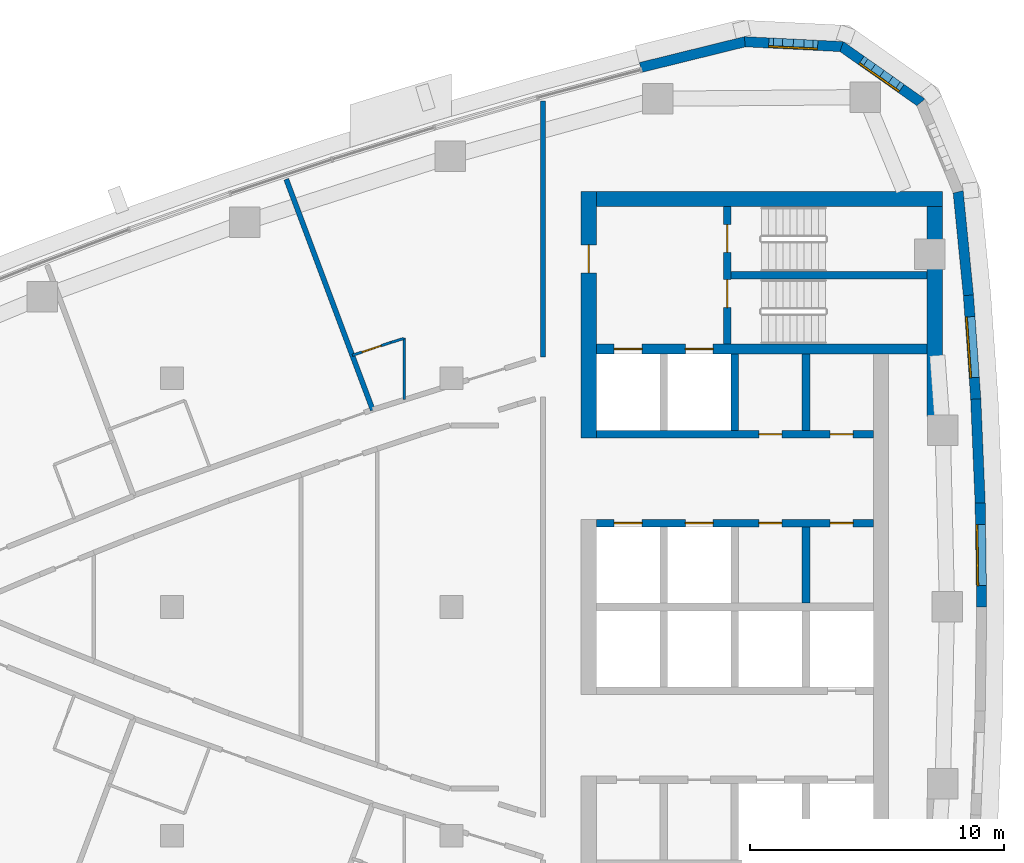
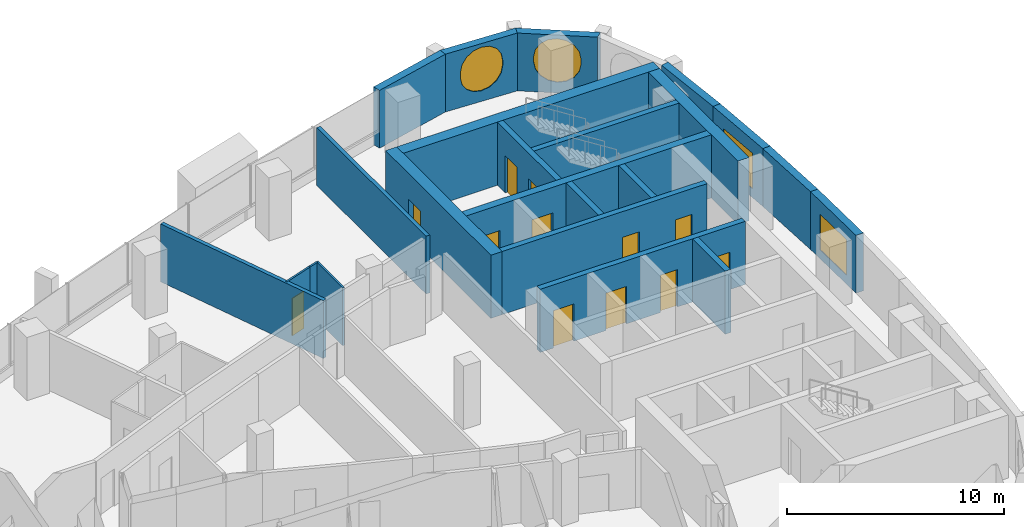
# One storey, part 11 of 16: 23 walls, 12 doors, 4 windows, 16 openings.
"""IFC4 building model written with IfcOpenShell, lengths in metres."""

import ifcopenshell
import ifcopenshell.guid

model = None  # the IFC model being written
_history = None  # IfcOwnerHistory: only IFC2X3 demands one
_inside = {}  # id of a spatial element -> (the spatial element, [elements in it])
_under = {}  # id of a project, library or spatial element -> (it, [spatial elements below it])
_declared = {}  # id of a project -> (the project, [libraries it declares])
_typed = {}  # id of a type object -> (the type object, [elements of that type])
_made_of = {}  # id of a material, layer set ... -> (it, [elements and type objects made of it])


def new_model(schema):
    """Start an empty IFC model of exactly this schema.

    Asked for "IFC4X3", IfcOpenShell would pick the latest addendum, in which some entities
    have other attributes; the version numbers below select the first issue.
    IFC2X3 requires an IfcOwnerHistory on every rooted entity: one is made here for all.
    """
    global model, _history
    if schema == "IFC4X3":
        model = ifcopenshell.file(schema_version=(4, 3, 0, 0))
    else:
        model = ifcopenshell.file(schema=schema)
    _inside.clear()
    _under.clear()
    _declared.clear()
    _typed.clear()
    _made_of.clear()
    _history = None
    if model.schema == "IFC2X3":
        org = make("IfcOrganization", Name="unknown")
        user = make(
            "IfcPersonAndOrganization",
            ThePerson=make("IfcPerson", FamilyName="unknown"),
            TheOrganization=org,
        )
        app = make(
            "IfcApplication",
            ApplicationDeveloper=org,
            Version="unknown",
            ApplicationFullName="unknown",
            ApplicationIdentifier="unknown",
        )
        _history = make(
            "IfcOwnerHistory",
            OwningUser=user,
            OwningApplication=app,
            ChangeAction="ADDED",
            CreationDate=0,
        )
    return model


def make(cls, **values):
    """One entity of the class cls with the attributes given. An attribute that is None is left unset."""
    return model.create_entity(
        cls, **{name: value for name, value in values.items() if value is not None}
    )


def rooted(cls, **values):
    """An entity with a GlobalId (a new one), such as an element, a storey or a relation."""
    return make(cls, GlobalId=ifcopenshell.guid.new(), OwnerHistory=_history, **values)


def si_unit(unit_type, name, prefix=None):
    """IfcSIUnit, for example si_unit("LENGTHUNIT", "METRE", prefix="MILLI")."""
    return make("IfcSIUnit", UnitType=unit_type, Prefix=prefix, Name=name)


def assignment(units):
    """IfcUnitAssignment: the units of a project."""
    return None if units is None else make("IfcUnitAssignment", Units=units)


def point(xyz):
    """IfcCartesianPoint."""
    return None if xyz is None else make("IfcCartesianPoint", Coordinates=xyz)


def direction(xyz):
    """IfcDirection."""
    return None if xyz is None else make("IfcDirection", DirectionRatios=xyz)


def frame(location, z_axis=None, x_axis=None):
    """IfcAxis2Placement3D, a coordinate frame: its origin and axes. An axis left out is left unset."""
    return make(
        "IfcAxis2Placement3D",
        Location=point(location),
        Axis=direction(z_axis),
        RefDirection=direction(x_axis),
    )


def frame_2d(location, x_axis=None):
    """IfcAxis2Placement2D, a coordinate frame in the plane: its origin and x axis."""
    return make(
        "IfcAxis2Placement2D", Location=point(location), RefDirection=direction(x_axis)
    )


def origin():
    """The frame at (0, 0, 0) with its axes left unset."""
    return frame((0.0, 0.0, 0.0))


def place(relative_to, where):
    """IfcLocalPlacement: puts the frame where relative to a parent placement (None: the world)."""
    return make(
        "IfcLocalPlacement", PlacementRelTo=relative_to, RelativePlacement=where
    )


def context(
    kind, dimensions, precision=None, world=None, true_north=None, identifier=None
):
    """IfcGeometricRepresentationContext, for example the 3D "Model" context."""
    return make(
        "IfcGeometricRepresentationContext",
        ContextIdentifier=identifier,
        ContextType=kind,
        CoordinateSpaceDimension=dimensions,
        Precision=precision,
        WorldCoordinateSystem=world,
        TrueNorth=true_north,
    )


def subcontext(parent, identifier, kind, view, scale=None):
    """IfcGeometricRepresentationSubContext, for example "Body" below "Model"."""
    return make(
        "IfcGeometricRepresentationSubContext",
        ContextIdentifier=identifier,
        ContextType=kind,
        ParentContext=parent,
        TargetScale=scale,
        TargetView=view,
    )


def project(units=None, contexts=None):
    """IfcProject with its units and contexts."""
    return rooted(
        "IfcProject",
        Name="project",
        RepresentationContexts=contexts,
        UnitsInContext=assignment(units),
    )


def spatial(cls, under=None, at=None, **own):
    """A site, building, storey or space (cls), placed at a placement, below another one or the project."""
    s = rooted(cls, ObjectPlacement=at, **own)
    if under is not None:
        _under.setdefault(under.id(), (under, []))[1].append(s)
    return s


def polyline(points):
    """IfcPolyline through the points."""
    return make("IfcPolyline", Points=[point(p) for p in points])


def profile(cls, at=None, kind="AREA", **sizes):
    """A parametric profile (cls). Its sizes go by their IFC names, for example OverallWidth=200.0."""
    return make(cls, ProfileType=kind, Position=at, **sizes)


def rectangle(**sizes):
    """IfcRectangleProfileDef."""
    return profile("IfcRectangleProfileDef", **sizes)


def outline(outer, holes=None, kind="AREA"):
    """IfcArbitraryClosedProfileDef: a profile drawn as a closed curve; with holes, ...WithVoids."""
    if holes is None:
        return make("IfcArbitraryClosedProfileDef", ProfileType=kind, OuterCurve=outer)
    return make(
        "IfcArbitraryProfileDefWithVoids",
        ProfileType=kind,
        OuterCurve=outer,
        InnerCurves=holes,
    )


def extrude(swept, where, along, depth):
    """IfcExtrudedAreaSolid: the profile swept, set in the frame where, extruded along a direction by depth."""
    return make(
        "IfcExtrudedAreaSolid",
        SweptArea=swept,
        Position=where,
        ExtrudedDirection=direction(along),
        Depth=depth,
    )


def shape(context_of_items, identifier, shape_type, items):
    """IfcShapeRepresentation: the items that make up one representation, for example the "Body"."""
    return make(
        "IfcShapeRepresentation",
        ContextOfItems=context_of_items,
        RepresentationIdentifier=identifier,
        RepresentationType=shape_type,
        Items=items,
    )


def material(Name=None, Category=None):
    """IfcMaterial."""
    return make("IfcMaterial", Name=Name, Category=Category)


def layer(
    of_material, thickness, ventilated=None, Name=None, Category=None, Priority=None
):
    """IfcMaterialLayer: one layer of a wall or slab, of a material (None: an air gap)."""
    return make(
        "IfcMaterialLayer",
        Material=of_material,
        LayerThickness=thickness,
        IsVentilated=ventilated,
        Name=Name,
        Category=Category,
        Priority=Priority,
    )


def layer_set(layers, Name=None):
    """IfcMaterialLayerSet."""
    return make("IfcMaterialLayerSet", MaterialLayers=layers, LayerSetName=Name)


def made_of(thing, what):
    """Note that an element or type object is made of a material, layer set ...; save() writes the relation."""
    if what is not None:
        _made_of.setdefault(what.id(), (what, []))[1].append(thing)
    return thing


def type_object(cls, material=None, **own):
    """A type object (cls), such as IfcWallType, which elements share."""
    return made_of(rooted(cls, **own), material)


def element(
    cls,
    number,
    at=None,
    inside=None,
    cuts=None,
    type_object=None,
    material=None,
    context=None,
    identifier="Body",
    shape_type=None,
    held_by="IfcProductDefinitionShape",
    body=None,
    shapes=None,
    **own,
):
    """One element of the class cls, such as IfcWall. Its Tag is "e" and its number.

    at: its placement. inside: the storey or other place that contains it. cuts: it is an
    opening in that element (IfcRelVoidsElement). A single representation is given by context,
    identifier, shape_type and body (its items); several are given by shapes. held_by: the class
    of the entity that holds the representations. save() writes the other relations.
    """
    e = rooted(cls, Tag="e%d" % number, ObjectPlacement=at, **own)
    if body is not None:
        shapes = [shape(context, identifier, shape_type, body)]
    if shapes is not None:
        e.Representation = make(held_by, Representations=shapes)
    if inside is not None:
        _inside.setdefault(inside.id(), (inside, []))[1].append(e)
    if cuts is not None:
        rooted(
            "IfcRelVoidsElement", RelatingBuildingElement=cuts, RelatedOpeningElement=e
        )
    if type_object is not None:
        _typed.setdefault(type_object.id(), (type_object, []))[1].append(e)
    return made_of(e, material)


def fill(opening, filler):
    """IfcRelFillsElement: the door or window that sits in an opening."""
    return rooted(
        "IfcRelFillsElement",
        RelatingOpeningElement=opening,
        RelatedBuildingElement=filler,
    )


def aggregate(whole, parts):
    """IfcRelAggregates: a whole, such as a stair, and the parts it consists of."""
    return rooted("IfcRelAggregates", RelatingObject=whole, RelatedObjects=parts)


def save(model, path):
    """Write the relations noted so far, then the file.

    IfcRelAggregates (storeys below a building ...), IfcRelContainedInSpatialStructure (elements
    in a storey), IfcRelDefinesByType, IfcRelAssociatesMaterial and IfcRelDeclares: one each for
    every whole, place, type object, material and project.
    """
    for whole, parts in _under.values():
        aggregate(whole, parts)
    for where, things in _inside.values():
        rooted(
            "IfcRelContainedInSpatialStructure",
            RelatedElements=things,
            RelatingStructure=where,
        )
    for kind, things in _typed.values():
        rooted("IfcRelDefinesByType", RelatedObjects=things, RelatingType=kind)
    for what, things in _made_of.values():
        rooted("IfcRelAssociatesMaterial", RelatedObjects=things, RelatingMaterial=what)
    for by, libraries in _declared.values():
        rooted("IfcRelDeclares", RelatingContext=by, RelatedDefinitions=libraries)
    model.write(path)


model = new_model("IFC4")

# Units and contexts
model_context = context("Model", 3, precision=1e-05, world=origin(), true_north=direction((0.0, 1.0)))
body_context = subcontext(model_context, "Body", "Model", "MODEL_VIEW")
ifc_project = project(units=[si_unit("LENGTHUNIT", "METRE"), si_unit("AREAUNIT", "SQUARE_METRE"), si_unit("VOLUMEUNIT", "CUBIC_METRE"), si_unit("PLANEANGLEUNIT", "RADIAN"), si_unit("MASSUNIT", "GRAM", prefix="KILO")], contexts=[model_context])

# Site, building, storey
site_placement = place(None, origin())
site = spatial("IfcSite", under=ifc_project, at=site_placement, CompositionType="ELEMENT")
building_placement = place(site_placement, origin())
building = spatial("IfcBuilding", under=site, at=building_placement, Name="Ostrand Prow Hotel Tower", CompositionType="ELEMENT")
storey_placement = place(building_placement, frame((0.0, 0.0, 227.89990234375)))
storey = spatial("IfcBuildingStorey", under=building, at=storey_placement, Name="L57", CompositionType="ELEMENT", Elevation=227.89990234375)

# Wall, openings, doors
ifc_material_1 = material(Name="Concrete C50/60", Category="concrete")
ifc_layer_1 = layer(ifc_material_1, 0.300048828125)
ifc_layer_set_1 = layer_set([ifc_layer_1], Name="Concrete C50/60")
wall_type_1 = type_object("IfcWallType", Name="Core wall 300 C50/60", PredefinedType="SHEAR", material=ifc_layer_set_1)
wall_1_placement = place(storey_placement, frame((50.699951171875, 3.300048828125, 0.0), z_axis=(0.0, 0.0, 1.0), x_axis=(1.0, 0.0, 0.0)))
wall_1 = element("IfcWall", 1, at=wall_1_placement, inside=storey, type_object=wall_type_1, Name="Core wall PW-L1-N", PredefinedType="SHEAR", context=body_context, shape_type="SweptSolid", body=[
    extrude(rectangle(XDim=10.900146484375, YDim=0.300048828125, at=frame_2d((5.4501953125, 0.0))), origin(), (0.0, 0.0, 1.0), 3.550048828125),
])
opening_1_placement = place(wall_1_placement, frame((0.699951171875, 0.0, 0.0)))
opening_1 = element("IfcOpeningElement", 2, at=opening_1_placement, cuts=wall_1, Name="Opening LD", PredefinedType="OPENING", context=body_context, shape_type="SweptSolid", body=[
    extrude(rectangle(XDim=1.10009765625, YDim=2.10009765625, at=frame_2d((0.550048828125, 1.050048828125))), frame((0.0, 0.159912109375, 0.0), z_axis=(0.0, -1.0, 0.0), x_axis=(1.0, 0.0, 0.0)), (0.0, 0.0, 1.0), 0.320068359375),
])
opening_2_placement = place(wall_1_placement, frame((3.5, 0.0, 0.0)))
opening_2 = element("IfcOpeningElement", 3, at=opening_2_placement, cuts=wall_1, Name="Opening LD", PredefinedType="OPENING", context=body_context, shape_type="SweptSolid", body=[
    extrude(rectangle(XDim=1.10009765625, YDim=2.10009765625, at=frame_2d((0.550048828125, 1.050048828125))), frame((0.0, 0.159912109375, 0.0), z_axis=(0.0, -1.0, 0.0), x_axis=(1.0, 0.0, 0.0)), (0.0, 0.0, 1.0), 0.320068359375),
])
opening_3_placement = place(wall_1_placement, frame((6.39990234375, 0.0, 0.0)))
opening_3 = element("IfcOpeningElement", 4, at=opening_3_placement, cuts=wall_1, Name="Opening FD2", PredefinedType="OPENING", context=body_context, shape_type="SweptSolid", body=[
    extrude(rectangle(XDim=0.89990234375, YDim=2.10009765625, at=frame_2d((0.449951171875, 1.050048828125))), frame((0.0, 0.159912109375, 0.0), z_axis=(0.0, -1.0, 0.0), x_axis=(1.0, 0.0, 0.0)), (0.0, 0.0, 1.0), 0.320068359375),
])
opening_4_placement = place(wall_1_placement, frame((9.199951171875, 0.0, 0.0)))
opening_4 = element("IfcOpeningElement", 5, at=opening_4_placement, cuts=wall_1, Name="Opening FD2", PredefinedType="OPENING", context=body_context, shape_type="SweptSolid", body=[
    extrude(rectangle(XDim=0.89990234375, YDim=2.10009765625, at=frame_2d((0.449951171875, 1.050048828125))), frame((0.0, 0.159912109375, 0.0), z_axis=(0.0, -1.0, 0.0), x_axis=(1.0, 0.0, 0.0)), (0.0, 0.0, 1.0), 0.320068359375),
])
ifc_material_2 = material(Name="Steel fire door", Category="steel")
door_type_1 = type_object("IfcDoorType", Name="Fire door 900 EI120", OperationType="SINGLE_SWING_LEFT", PredefinedType="DOOR", material=ifc_material_2)
door_1_placement = place(opening_3_placement, origin())
door_1 = element("IfcDoor", 6, at=door_1_placement, inside=storey, type_object=door_type_1, Name="DOOR", OperationType="SINGLE_SWING_LEFT", OverallHeight=2.10009765625, OverallWidth=0.89990234375, PredefinedType="DOOR", context=body_context, shape_type="SweptSolid", body=[
    extrude(rectangle(XDim=0.89990234375, YDim=2.10009765625, at=frame_2d((0.449951171875, 1.050048828125))), frame((0.0, 0.02490234375, 0.0), z_axis=(0.0, -1.0, 0.0), x_axis=(1.0, 0.0, 0.0)), (0.0, 0.0, 1.0), 0.050048828125),
])
fill(opening_3, door_1)
door_2_placement = place(opening_4_placement, origin())
door_2 = element("IfcDoor", 7, at=door_2_placement, inside=storey, type_object=door_type_1, Name="DOOR", OperationType="SINGLE_SWING_LEFT", OverallHeight=2.10009765625, OverallWidth=0.89990234375, PredefinedType="DOOR", context=body_context, shape_type="SweptSolid", body=[
    extrude(rectangle(XDim=0.89990234375, YDim=2.10009765625, at=frame_2d((0.449951171875, 1.050048828125))), frame((0.0, 0.02490234375, 0.0), z_axis=(0.0, -1.0, 0.0), x_axis=(1.0, 0.0, 0.0)), (0.0, 0.0, 1.0), 0.050048828125),
])
fill(opening_4, door_2)
ifc_material_3 = material(Name="Stainless steel door", Category="steel")
door_type_2 = type_object("IfcDoorType", Name="Lift landing door 1100", OperationType="DOUBLE_DOOR_SLIDING", PredefinedType="DOOR", material=ifc_material_3)
door_3_placement = place(opening_1_placement, origin())
door_3 = element("IfcDoor", 8, at=door_3_placement, inside=storey, type_object=door_type_2, Name="LIFT LANDING DOOR", OperationType="DOUBLE_DOOR_SLIDING", OverallHeight=2.10009765625, OverallWidth=1.10009765625, PredefinedType="DOOR", context=body_context, shape_type="SweptSolid", body=[
    extrude(rectangle(XDim=1.10009765625, YDim=2.10009765625, at=frame_2d((0.550048828125, 1.050048828125))), frame((0.0, 0.02490234375, 0.0), z_axis=(0.0, -1.0, 0.0), x_axis=(1.0, 0.0, 0.0)), (0.0, 0.0, 1.0), 0.050048828125),
])
fill(opening_1, door_3)
door_4_placement = place(opening_2_placement, origin())
door_4 = element("IfcDoor", 9, at=door_4_placement, inside=storey, type_object=door_type_2, Name="LIFT LANDING DOOR", OperationType="DOUBLE_DOOR_SLIDING", OverallHeight=2.10009765625, OverallWidth=1.10009765625, PredefinedType="DOOR", context=body_context, shape_type="SweptSolid", body=[
    extrude(rectangle(XDim=1.10009765625, YDim=2.10009765625, at=frame_2d((0.550048828125, 1.050048828125))), frame((0.0, 0.02490234375, 0.0), z_axis=(0.0, -1.0, 0.0), x_axis=(1.0, 0.0, 0.0)), (0.0, 0.0, 1.0), 0.050048828125),
])
fill(opening_2, door_4)

wall_2_placement = place(storey_placement, frame((50.699951171875, 6.800048828125, 0.0), z_axis=(0.0, 0.0, 1.0), x_axis=(1.0, 0.0, 0.0)))
wall_2 = element("IfcWall", 10, at=wall_2_placement, inside=storey, type_object=wall_type_1, Name="Core wall PW-L2-N", PredefinedType="SHEAR", context=body_context, shape_type="SweptSolid", body=[
    extrude(rectangle(XDim=10.900146484375, YDim=0.300048828125, at=frame_2d((5.4501953125, 0.0))), origin(), (0.0, 0.0, 1.0), 3.550048828125),
])
opening_5_placement = place(wall_2_placement, frame((6.39990234375, 0.0, 0.0)))
opening_5 = element("IfcOpeningElement", 11, at=opening_5_placement, cuts=wall_2, Name="Opening FD2", PredefinedType="OPENING", context=body_context, shape_type="SweptSolid", body=[
    extrude(rectangle(XDim=0.89990234375, YDim=2.10009765625, at=frame_2d((0.449951171875, 1.050048828125))), frame((0.0, 0.159912109375, 0.0), z_axis=(0.0, -1.0, 0.0), x_axis=(1.0, 0.0, 0.0)), (0.0, 0.0, 1.0), 0.320068359375),
])
opening_6_placement = place(wall_2_placement, frame((9.199951171875, 0.0, 0.0)))
opening_6 = element("IfcOpeningElement", 12, at=opening_6_placement, cuts=wall_2, Name="Opening FD2", PredefinedType="OPENING", context=body_context, shape_type="SweptSolid", body=[
    extrude(rectangle(XDim=0.89990234375, YDim=2.10009765625, at=frame_2d((0.449951171875, 1.050048828125))), frame((0.0, 0.159912109375, 0.0), z_axis=(0.0, -1.0, 0.0), x_axis=(1.0, 0.0, 0.0)), (0.0, 0.0, 1.0), 0.320068359375),
])
door_5_placement = place(opening_5_placement, origin())
door_5 = element("IfcDoor", 13, at=door_5_placement, inside=storey, type_object=door_type_1, Name="DOOR", OperationType="SINGLE_SWING_LEFT", OverallHeight=2.10009765625, OverallWidth=0.89990234375, PredefinedType="DOOR", context=body_context, shape_type="SweptSolid", body=[
    extrude(rectangle(XDim=0.89990234375, YDim=2.10009765625, at=frame_2d((0.449951171875, 1.050048828125))), frame((0.0, 0.02490234375, 0.0), z_axis=(0.0, -1.0, 0.0), x_axis=(1.0, 0.0, 0.0)), (0.0, 0.0, 1.0), 0.050048828125),
])
fill(opening_5, door_5)
door_6_placement = place(opening_6_placement, origin())
door_6 = element("IfcDoor", 14, at=door_6_placement, inside=storey, type_object=door_type_1, Name="DOOR", OperationType="SINGLE_SWING_LEFT", OverallHeight=2.10009765625, OverallWidth=0.89990234375, PredefinedType="DOOR", context=body_context, shape_type="SweptSolid", body=[
    extrude(rectangle(XDim=0.89990234375, YDim=2.10009765625, at=frame_2d((0.449951171875, 1.050048828125))), frame((0.0, 0.02490234375, 0.0), z_axis=(0.0, -1.0, 0.0), x_axis=(1.0, 0.0, 0.0)), (0.0, 0.0, 1.0), 0.050048828125),
])
fill(opening_6, door_6)

# Walls
for number, where, z_axis, x_axis, name in (
    (15, (56.14990234375, 6.949951171875, 0.0), (0.0, 0.0, 1.0), (0.0, 1.0, 0.0), "Core wall PW-R2-NA"),
    (16, (58.949951171875, 0.14990234375, 0.0), (0.0, 0.0, 1.0), (0.0, 1.0, 0.0), "Core wall PW-R3-NB"),
    (17, (58.949951171875, 6.949951171875, 0.0), (0.0, 0.0, 1.0), (0.0, 1.0, 0.0), "Core wall PW-R3-NA"),
):
    element("IfcWall", number, at=place(storey_placement, frame(where, z_axis=z_axis, x_axis=x_axis)), inside=storey, type_object=wall_type_1, Name=name, PredefinedType="SHEAR", context=body_context, shape_type="SweptSolid", body=[
        extrude(rectangle(XDim=3.0, YDim=0.300048828125, at=frame_2d((1.5, 0.0))), origin(), (0.0, 0.0, 1.0), 3.550048828125),
    ])

# Wall, openings, doors
wall_3_placement = place(storey_placement, frame((55.85009765625, 10.35009765625, 0.0), z_axis=(0.0, 0.0, 1.0), x_axis=(0.0, 1.0, 0.0)))
wall_3 = element("IfcWall", 18, at=wall_3_placement, inside=storey, type_object=wall_type_1, Name="Core wall PW-VN", PredefinedType="SHEAR", context=body_context, shape_type="SweptSolid", body=[
    extrude(rectangle(XDim=5.39990234375, YDim=0.300048828125, at=frame_2d((2.699951171875, 0.0))), origin(), (0.0, 0.0, 1.0), 3.550048828125),
])
opening_7_placement = place(wall_3_placement, frame((1.429931640625, 0.0, 0.0)))
opening_7 = element("IfcOpeningElement", 19, at=opening_7_placement, cuts=wall_3, Name="Opening FD1", PredefinedType="OPENING", context=body_context, shape_type="SweptSolid", body=[
    extrude(rectangle(XDim=1.10009765625, YDim=2.10009765625, at=frame_2d((0.550048828125, 1.050048828125))), frame((0.0, 0.159912109375, 0.0), z_axis=(0.0, -1.0, 0.0), x_axis=(1.0, 0.0, 0.0)), (0.0, 0.0, 1.0), 0.320068359375),
])
opening_8_placement = place(wall_3_placement, frame((3.60009765625, 0.0, 0.0)))
opening_8 = element("IfcOpeningElement", 20, at=opening_8_placement, cuts=wall_3, Name="Opening FD1", PredefinedType="OPENING", context=body_context, shape_type="SweptSolid", body=[
    extrude(rectangle(XDim=1.10009765625, YDim=2.10009765625, at=frame_2d((0.550048828125, 1.050048828125))), frame((0.0, 0.159912109375, 0.0), z_axis=(0.0, -1.0, 0.0), x_axis=(1.0, 0.0, 0.0)), (0.0, 0.0, 1.0), 0.320068359375),
])
ifc_material_4 = material(Name="Steel fire door", Category="steel")
door_type_3 = type_object("IfcDoorType", Name="Fire door 1100 EI120", OperationType="SINGLE_SWING_RIGHT", PredefinedType="DOOR", material=ifc_material_4)
door_7_placement = place(opening_7_placement, origin())
door_7 = element("IfcDoor", 21, at=door_7_placement, inside=storey, type_object=door_type_3, Name="FIRE DOOR", OperationType="SINGLE_SWING_RIGHT", OverallHeight=2.10009765625, OverallWidth=1.10009765625, PredefinedType="DOOR", context=body_context, shape_type="SweptSolid", body=[
    extrude(rectangle(XDim=1.10009765625, YDim=2.10009765625, at=frame_2d((0.550048828125, 1.050048828125))), frame((0.0, 0.02490234375, 0.0), z_axis=(0.0, -1.0, 0.0), x_axis=(1.0, 0.0, 0.0)), (0.0, 0.0, 1.0), 0.050048828125),
])
fill(opening_7, door_7)
door_8_placement = place(opening_8_placement, origin())
door_8 = element("IfcDoor", 22, at=door_8_placement, inside=storey, type_object=door_type_3, Name="FIRE DOOR", OperationType="SINGLE_SWING_RIGHT", OverallHeight=2.10009765625, OverallWidth=1.10009765625, PredefinedType="DOOR", context=body_context, shape_type="SweptSolid", body=[
    extrude(rectangle(XDim=1.10009765625, YDim=2.10009765625, at=frame_2d((0.550048828125, 1.050048828125))), frame((0.0, 0.02490234375, 0.0), z_axis=(0.0, -1.0, 0.0), x_axis=(1.0, 0.0, 0.0)), (0.0, 0.0, 1.0), 0.050048828125),
])
fill(opening_8, door_8)

# Wall
wall_4_placement = place(storey_placement, frame((56.0, 13.050048828125, 0.0), z_axis=(0.0, 0.0, 1.0), x_axis=(1.0, 0.0, 0.0)))
element("IfcWall", 23, at=wall_4_placement, inside=storey, type_object=wall_type_1, Name="Core wall PW-ST13", PredefinedType="SHEAR", context=body_context, shape_type="SweptSolid", body=[
    extrude(rectangle(XDim=7.719970703125, YDim=0.300048828125, at=frame_2d((3.85986328125, 0.0))), origin(), (0.0, 0.0, 1.0), 3.550048828125),
])

# Wall, openings, doors
ifc_material_5 = material(Name="Concrete C50/60", Category="concrete")
ifc_layer_2 = layer(ifc_material_5, 0.39990234375)
ifc_layer_set_2 = layer_set([ifc_layer_2], Name="Concrete C50/60")
wall_type_2 = type_object("IfcWallType", Name="Core wall 400 C50/60", PredefinedType="SHEAR", material=ifc_layer_set_2)
wall_5_placement = place(storey_placement, frame((50.699951171875, 10.14990234375, 0.0), z_axis=(0.0, 0.0, 1.0), x_axis=(1.0, 0.0, 0.0)))
wall_5 = element("IfcWall", 24, at=wall_5_placement, inside=storey, type_object=wall_type_2, Name="Core wall PW-BN", PredefinedType="SHEAR", context=body_context, shape_type="SweptSolid", body=[
    extrude(rectangle(XDim=13.02001953125, YDim=0.39990234375, at=frame_2d((6.510009765625, 0.0))), origin(), (0.0, 0.0, 1.0), 3.550048828125),
])
opening_9_placement = place(wall_5_placement, frame((0.699951171875, 0.0, 0.0)))
opening_9 = element("IfcOpeningElement", 25, at=opening_9_placement, cuts=wall_5, Name="Opening LD", PredefinedType="OPENING", context=body_context, shape_type="SweptSolid", body=[
    extrude(rectangle(XDim=1.10009765625, YDim=2.10009765625, at=frame_2d((0.550048828125, 1.050048828125))), frame((0.0, 0.2099609375, 0.0), z_axis=(0.0, -1.0, 0.0), x_axis=(1.0, 0.0, 0.0)), (0.0, 0.0, 1.0), 0.419921875),
])
opening_10_placement = place(wall_5_placement, frame((3.5, 0.0, 0.0)))
opening_10 = element("IfcOpeningElement", 26, at=opening_10_placement, cuts=wall_5, Name="Opening LD", PredefinedType="OPENING", context=body_context, shape_type="SweptSolid", body=[
    extrude(rectangle(XDim=1.10009765625, YDim=2.10009765625, at=frame_2d((0.550048828125, 1.050048828125))), frame((0.0, 0.2099609375, 0.0), z_axis=(0.0, -1.0, 0.0), x_axis=(1.0, 0.0, 0.0)), (0.0, 0.0, 1.0), 0.419921875),
])
door_9_placement = place(opening_9_placement, origin())
door_9 = element("IfcDoor", 27, at=door_9_placement, inside=storey, type_object=door_type_2, Name="LIFT LANDING DOOR", OperationType="DOUBLE_DOOR_SLIDING", OverallHeight=2.10009765625, OverallWidth=1.10009765625, PredefinedType="DOOR", context=body_context, shape_type="SweptSolid", body=[
    extrude(rectangle(XDim=1.10009765625, YDim=2.10009765625, at=frame_2d((0.550048828125, 1.050048828125))), frame((0.0, 0.02490234375, 0.0), z_axis=(0.0, -1.0, 0.0), x_axis=(1.0, 0.0, 0.0)), (0.0, 0.0, 1.0), 0.050048828125),
])
fill(opening_9, door_9)
door_10_placement = place(opening_10_placement, origin())
door_10 = element("IfcDoor", 28, at=door_10_placement, inside=storey, type_object=door_type_2, Name="LIFT LANDING DOOR", OperationType="DOUBLE_DOOR_SLIDING", OverallHeight=2.10009765625, OverallWidth=1.10009765625, PredefinedType="DOOR", context=body_context, shape_type="SweptSolid", body=[
    extrude(rectangle(XDim=1.10009765625, YDim=2.10009765625, at=frame_2d((0.550048828125, 1.050048828125))), frame((0.0, 0.02490234375, 0.0), z_axis=(0.0, -1.0, 0.0), x_axis=(1.0, 0.0, 0.0)), (0.0, 0.0, 1.0), 0.050048828125),
])
fill(opening_10, door_10)

# Wall, opening, door
ifc_material_6 = material(Name="Concrete C50/60", Category="concrete")
ifc_layer_3 = layer(ifc_material_6, 0.60009765625)
ifc_layer_set_3 = layer_set([ifc_layer_3], Name="Concrete C50/60")
wall_type_3 = type_object("IfcWallType", Name="Core wall 600 C50/60", PredefinedType="SHEAR", material=ifc_layer_set_3)
wall_6_placement = place(storey_placement, frame((50.39990234375, 6.64990234375, 0.0), z_axis=(0.0, 0.0, 1.0), x_axis=(0.0, 1.0, 0.0)))
wall_6 = element("IfcWall", 29, at=wall_6_placement, inside=storey, type_object=wall_type_3, Name="Core wall CW-W-N", PredefinedType="SHEAR", context=body_context, shape_type="SweptSolid", body=[
    extrude(rectangle(XDim=9.7001953125, YDim=0.60009765625, at=frame_2d((4.85009765625, 0.0))), origin(), (0.0, 0.0, 1.0), 3.550048828125),
])
opening_11_placement = place(wall_6_placement, frame((6.5, 0.0, 0.0)))
opening_11 = element("IfcOpeningElement", 30, at=opening_11_placement, cuts=wall_6, Name="Opening FD1", PredefinedType="OPENING", context=body_context, shape_type="SweptSolid", body=[
    extrude(rectangle(XDim=1.10009765625, YDim=2.10009765625, at=frame_2d((0.550048828125, 1.050048828125))), frame((0.0, 0.31005859375, 0.0), z_axis=(0.0, -1.0, 0.0), x_axis=(1.0, 0.0, 0.0)), (0.0, 0.0, 1.0), 0.6201171875),
])
door_11_placement = place(opening_11_placement, origin())
door_11 = element("IfcDoor", 31, at=door_11_placement, inside=storey, type_object=door_type_3, Name="FIRE DOOR", OperationType="SINGLE_SWING_RIGHT", OverallHeight=2.10009765625, OverallWidth=1.10009765625, PredefinedType="DOOR", context=body_context, shape_type="SweptSolid", body=[
    extrude(rectangle(XDim=1.10009765625, YDim=2.10009765625, at=frame_2d((0.550048828125, 1.050048828125))), frame((0.0, 0.02490234375, 0.0), z_axis=(0.0, -1.0, 0.0), x_axis=(1.0, 0.0, 0.0)), (0.0, 0.0, 1.0), 0.050048828125),
])
fill(opening_11, door_11)

# Walls
wall_7_placement = place(storey_placement, frame((50.699951171875, 16.050048828125, 0.0), z_axis=(0.0, 0.0, 1.0), x_axis=(1.0, 0.0, 0.0)))
element("IfcWall", 32, at=wall_7_placement, inside=storey, type_object=wall_type_3, Name="Core wall CW-N", PredefinedType="SHEAR", context=body_context, shape_type="SweptSolid", body=[
    extrude(rectangle(XDim=13.6201171875, YDim=0.60009765625, at=frame_2d((6.81005859375, 0.0))), origin(), (0.0, 0.0, 1.0), 3.550048828125),
])
wall_8_placement = place(storey_placement, frame((64.02001953125, 7.502197265625, 0.0), z_axis=(0.0, 0.0, 1.0), x_axis=(0.0, 1.0, 0.0)))
element("IfcWall", 33, at=wall_8_placement, inside=storey, type_object=wall_type_3, Name="Core wall CW-E-N", PredefinedType="SHEAR", context=body_context, shape_type="SweptSolid", body=[
    extrude(rectangle(XDim=8.247802734375, YDim=0.60009765625, at=frame_2d((4.1240234375, 0.0))), origin(), (0.0, 0.0, 1.0), 3.550048828125),
])

# Wall, opening, door
ifc_material_7 = material(Name="Plasterboard partition")
ifc_layer_4 = layer(ifc_material_7, 0.10009765625)
ifc_layer_set_4 = layer_set([ifc_layer_4], Name="Plasterboard partition")
wall_type_4 = type_object("IfcWallType", Name="Partition 100 bathroom wall", PredefinedType="PARTITIONING", material=ifc_layer_set_4)
wall_9_placement = place(storey_placement, frame((41.097412109375, 9.900634765625, 0.0), z_axis=(0.0, 0.0, 1.0), x_axis=(0.948485479965, 0.3168206027, 0.0)))
wall_9 = element("IfcWall", 34, at=wall_9_placement, inside=storey, type_object=wall_type_4, Name="BATHROOM WALL", PredefinedType="PARTITIONING", context=body_context, shape_type="SweptSolid", body=[
    extrude(rectangle(XDim=1.60595703125, YDim=0.10009765625, at=frame_2d((0.802978515625, 0.0))), origin(), (0.0, 0.0, 1.0), 3.25),
])
opening_12_placement = place(wall_9_placement, frame((0.39990234375, 0.0, 0.0)))
opening_12 = element("IfcOpeningElement", 35, at=opening_12_placement, cuts=wall_9, Name="Opening D2", PredefinedType="OPENING", context=body_context, shape_type="SweptSolid", body=[
    extrude(rectangle(XDim=0.800048828125, YDim=2.10009765625, at=frame_2d((0.39990234375, 1.050048828125))), frame((0.0, 0.06005859375, 0.0), z_axis=(0.0, -1.0, 0.0), x_axis=(1.0, 0.0, 0.0)), (0.0, 0.0, 1.0), 0.1201171875),
])
ifc_material_8 = material(Name="Timber door leaf", Category="wood")
door_type_4 = type_object("IfcDoorType", Name="Bathroom door 800", OperationType="SINGLE_SWING_LEFT", PredefinedType="DOOR", material=ifc_material_8)
door_12_placement = place(opening_12_placement, origin())
door_12 = element("IfcDoor", 36, at=door_12_placement, inside=storey, type_object=door_type_4, Name="DOOR", OperationType="SINGLE_SWING_LEFT", OverallHeight=2.10009765625, OverallWidth=0.800048828125, PredefinedType="DOOR", context=body_context, shape_type="SweptSolid", body=[
    extrude(rectangle(XDim=0.800048828125, YDim=2.10009765625, at=frame_2d((0.39990234375, 1.050048828125))), frame((0.0, 0.02490234375, 0.0), z_axis=(0.0, -1.0, 0.0), x_axis=(1.0, 0.0, 0.0)), (0.0, 0.0, 1.0), 0.050048828125),
])
fill(opening_12, door_12)

# Walls
wall_10_placement = place(storey_placement, frame((42.62060546875, 10.409423828125, 0.0), z_axis=(0.0, 0.0, 1.0), x_axis=(0.954618903587, 0.297830067176, 0.0)))
element("IfcWall", 37, at=wall_10_placement, inside=storey, type_object=wall_type_4, Name="BATHROOM WALL", PredefinedType="PARTITIONING", context=body_context, shape_type="SweptSolid", body=[
    extrude(rectangle(XDim=0.53125, YDim=0.10009765625, at=frame_2d((0.265625, 0.0))), origin(), (0.0, 0.0, 1.0), 3.25),
])
wall_11_placement = place(storey_placement, frame((43.14501953125, 10.59033203125, 0.0), z_axis=(0.0, 0.0, 1.0), x_axis=(0.0, -1.0, 0.0)))
element("IfcWall", 38, at=wall_11_placement, inside=storey, type_object=wall_type_4, Name="BATHROOM WALL", PredefinedType="PARTITIONING", context=body_context, shape_type="SweptSolid", body=[
    extrude(rectangle(XDim=2.42529296875, YDim=0.10009765625, at=frame_2d((1.212646484375, 0.0))), origin(), (0.0, 0.0, 1.0), 3.25),
])
ifc_material_9 = material(Name="Plasterboard partition")
ifc_layer_5 = layer(ifc_material_9, 0.199951171875)
ifc_layer_set_5 = layer_set([ifc_layer_5], Name="Plasterboard partition")
wall_type_5 = type_object("IfcWallType", Name="Partition 200 corridor wall", PredefinedType="PARTITIONING", material=ifc_layer_set_5)
wall_12_placement = place(storey_placement, frame((48.594970703125, 19.904296875, 0.0), z_axis=(0.0, 0.0, 1.0), x_axis=(0.0, -1.0, 0.0)))
element("IfcWall", 39, at=wall_12_placement, inside=storey, type_object=wall_type_5, Name="CORRIDOR WALL", PredefinedType="PARTITIONING", context=body_context, shape_type="SweptSolid", body=[
    extrude(rectangle(XDim=10.0673828125, YDim=0.199951171875, at=frame_2d((5.03369140625, 0.0))), origin(), (0.0, 0.0, 1.0), 3.25),
])
ifc_material_10 = material(Name="Plasterboard partition")
ifc_layer_6 = layer(ifc_material_10, 0.199951171875)
ifc_layer_set_6 = layer_set([ifc_layer_6], Name="Plasterboard partition")
wall_type_6 = type_object("IfcWallType", Name="Partition 200 key partition", PredefinedType="PARTITIONING", material=ifc_layer_set_6)
wall_13_placement = place(storey_placement, frame((41.905517578125, 7.74560546875, 0.0), z_axis=(0.0, 0.0, 1.0), x_axis=(-0.35112895446, 0.936327110224, 0.0)))
element("IfcWall", 40, at=wall_13_placement, inside=storey, type_object=wall_type_6, Name="KEY PARTITION", PredefinedType="PARTITIONING", context=body_context, shape_type="SweptSolid", body=[
    extrude(rectangle(XDim=9.706298828125, YDim=0.199951171875, at=frame_2d((4.85302734375, 0.0))), origin(), (0.0, 0.0, 1.0), 3.25),
])

# Wall, opening, window
ifc_material_11 = material(Name="Precast concrete C40/50", Category="concrete")
ifc_layer_7 = layer(ifc_material_11, 0.39990234375)
ifc_layer_set_7 = layer_set([ifc_layer_7], Name="Precast concrete C40/50")
wall_type_7 = type_object("IfcWallType", Name="Stone-faced precast wall 400 mm", PredefinedType="NOTDEFINED", material=ifc_layer_set_7)
wall_14_placement = place(storey_placement, frame((65.86181640625, 0.0, 0.0), z_axis=(0.0, 0.0, 1.0), x_axis=(-0.014136867892, 0.99990006949, 0.0)))
wall_14 = element("IfcWall", 41, at=wall_14_placement, inside=storey, type_object=wall_type_7, Name="Stone-faced wall back 9", PredefinedType="NOTDEFINED", context=body_context, shape_type="SweptSolid", body=[
    extrude(outline(polyline([(-0.002685546875, -0.199951171875), (4.095703125, -0.199951171875), (4.09033203125, 0.199951171875), (0.002685546875, 0.199951171875), (-0.002685546875, -0.199951171875)])), origin(), (0.0, 0.0, 1.0), 3.25),
])
opening_13_placement = place(wall_14_placement, frame((0.846435546875, 0.0, 0.5)))
opening_13 = element("IfcOpeningElement", 42, at=opening_13_placement, cuts=wall_14, Name="Opening WA1", PredefinedType="OPENING", context=body_context, shape_type="SweptSolid", body=[
    extrude(rectangle(XDim=2.39990234375, YDim=2.0, at=frame_2d((1.199951171875, 1.0))), frame((0.0, 0.2099609375, 0.0), z_axis=(0.0, -1.0, 0.0), x_axis=(1.0, 0.0, 0.0)), (0.0, 0.0, 1.0), 0.419921875),
])
ifc_material_12 = material(Name="Insulated glass in bronze frame", Category="glass")
window_type_1 = type_object("IfcWindowType", Name="Amenity picture window 2400x2000", PartitioningType="SINGLE_PANEL", PredefinedType="WINDOW", material=ifc_material_12)
window_1_placement = place(opening_13_placement, origin())
window_1 = element("IfcWindow", 43, at=window_1_placement, inside=storey, type_object=window_type_1, Name="Window back 9.1", OverallHeight=2.0, OverallWidth=2.39990234375, PartitioningType="SINGLE_PANEL", PredefinedType="WINDOW", context=body_context, shape_type="SweptSolid", body=[
    extrude(rectangle(XDim=2.39990234375, YDim=2.0, at=frame_2d((1.199951171875, 1.0))), frame((0.0, 0.169921875, 0.0), z_axis=(0.0, -1.0, 0.0), x_axis=(1.0, 0.0, 0.0)), (0.0, 0.0, 1.0), 0.06005859375),
])
fill(opening_13, window_1)

# Wall
wall_15_placement = place(storey_placement, frame((65.803955078125, 4.092529296875, 0.0), z_axis=(0.0, 0.0, 1.0), x_axis=(-0.042352554594, 0.999102728011, 0.0)))
element("IfcWall", 44, at=wall_15_placement, inside=storey, type_object=wall_type_7, Name="Stone-faced wall back 10", PredefinedType="NOTDEFINED", context=body_context, shape_type="SweptSolid", body=[
    extrude(outline(polyline([(-0.002685546875, -0.199951171875), (4.095458984375, -0.199951171875), (4.090087890625, 0.199951171875), (0.002685546875, 0.199951171875), (-0.002685546875, -0.199951171875)])), origin(), (0.0, 0.0, 1.0), 3.25),
])

# Wall, opening, window
wall_16_placement = place(storey_placement, frame((65.630615234375, 8.181640625, 0.0), z_axis=(0.0, 0.0, 1.0), x_axis=(-0.070623905352, 0.997503014528, 0.0)))
wall_16 = element("IfcWall", 45, at=wall_16_placement, inside=storey, type_object=wall_type_7, Name="Stone-faced wall back 11", PredefinedType="NOTDEFINED", context=body_context, shape_type="SweptSolid", body=[
    extrude(outline(polyline([(-0.002685546875, -0.199951171875), (4.095703125, -0.199951171875), (4.09033203125, 0.199951171875), (0.002685546875, 0.199951171875), (-0.002685546875, -0.199951171875)])), origin(), (0.0, 0.0, 1.0), 3.25),
])
opening_14_placement = place(wall_16_placement, frame((0.846435546875, 0.0, 0.5)))
opening_14 = element("IfcOpeningElement", 46, at=opening_14_placement, cuts=wall_16, Name="Opening WA1", PredefinedType="OPENING", context=body_context, shape_type="SweptSolid", body=[
    extrude(rectangle(XDim=2.39990234375, YDim=2.0, at=frame_2d((1.199951171875, 1.0))), frame((0.0, 0.2099609375, 0.0), z_axis=(0.0, -1.0, 0.0), x_axis=(1.0, 0.0, 0.0)), (0.0, 0.0, 1.0), 0.419921875),
])
window_2_placement = place(opening_14_placement, origin())
window_2 = element("IfcWindow", 47, at=window_2_placement, inside=storey, type_object=window_type_1, Name="Window back 11.1", OverallHeight=2.0, OverallWidth=2.39990234375, PartitioningType="SINGLE_PANEL", PredefinedType="WINDOW", context=body_context, shape_type="SweptSolid", body=[
    extrude(rectangle(XDim=2.39990234375, YDim=2.0, at=frame_2d((1.199951171875, 1.0))), frame((0.0, 0.169921875, 0.0), z_axis=(0.0, -1.0, 0.0), x_axis=(1.0, 0.0, 0.0)), (0.0, 0.0, 1.0), 0.06005859375),
])
fill(opening_14, window_2)

# Wall
wall_17_placement = place(storey_placement, frame((65.341552734375, 12.264404296875, 0.0), z_axis=(0.0, 0.0, 1.0), x_axis=(-0.098718218066, 0.995115427185, 0.0)))
element("IfcWall", 48, at=wall_17_placement, inside=storey, type_object=wall_type_7, Name="Stone-faced wall back 12", PredefinedType="NOTDEFINED", context=body_context, shape_type="SweptSolid", body=[
    extrude(outline(polyline([(-0.002685546875, -0.199951171875), (4.122802734375, -0.199951171875), (4.063232421875, 0.199951171875), (0.002685546875, 0.199951171875), (-0.002685546875, -0.199951171875)])), origin(), (0.0, 0.0, 1.0), 3.25),
])

# Wall, opening, window
wall_18_placement = place(storey_placement, frame((63.471435546875, 19.85791015625, 0.0), z_axis=(0.0, 0.0, 1.0), x_axis=(-0.817942545532, 0.575299915009, 0.0)))
wall_18 = element("IfcWall", 49, at=wall_18_placement, inside=storey, type_object=wall_type_7, Name="Stone-faced wall back 14", PredefinedType="NOTDEFINED", context=body_context, shape_type="SweptSolid", body=[
    extrude(outline(polyline([(-0.057861328125, -0.199951171875), (3.871337890625, -0.199951171875), (3.755615234375, 0.199951171875), (0.057861328125, 0.199951171875), (-0.057861328125, -0.199951171875)])), origin(), (0.0, 0.0, 1.0), 3.25),
])
opening_15_placement = place(wall_18_placement, frame((0.806884765625, 0.0, 0.60009765625)))
opening_15 = element("IfcOpeningElement", 50, at=opening_15_placement, cuts=wall_18, Name="Opening WP2", PredefinedType="OPENING", context=body_context, shape_type="SweptSolid", body=[
    extrude(outline(polyline([(0.0, 1.35009765625), (0.083740234375, 1.77099609375), (0.322265625, 2.127685546875), (0.678955078125, 2.3662109375), (1.10009765625, 2.449951171875), (1.52099609375, 2.3662109375), (1.877685546875, 2.127685546875), (2.1162109375, 1.77099609375), (2.199951171875, 1.35009765625), (2.199951171875, 1.10009765625), (2.1162109375, 0.678955078125), (1.877685546875, 0.322265625), (1.52099609375, 0.083740234375), (1.10009765625, 0.0), (0.678955078125, 0.083740234375), (0.322265625, 0.322265625), (0.083740234375, 0.678955078125), (0.0, 1.099853515625), (0.0, 1.35009765625)])), frame((0.0, 0.2099609375, 0.0), z_axis=(0.0, -1.0, 0.0), x_axis=(1.0, 0.0, 0.0)), (0.0, 0.0, 1.0), 0.419921875),
])
ifc_material_13 = material(Name="Insulated glass in bronze frame", Category="glass")
window_type_2 = type_object("IfcWindowType", Name="Round-ended prow lounge window 2200x2450", PartitioningType="SINGLE_PANEL", PredefinedType="WINDOW", material=ifc_material_13)
window_3_placement = place(opening_15_placement, origin())
window_3 = element("IfcWindow", 51, at=window_3_placement, inside=storey, type_object=window_type_2, Name="Window back 14.1", OverallHeight=2.449951171875, OverallWidth=2.199951171875, PartitioningType="SINGLE_PANEL", PredefinedType="WINDOW", context=body_context, shape_type="SweptSolid", body=[
    extrude(outline(polyline([(0.0, 1.35009765625), (0.083740234375, 1.77099609375), (0.322265625, 2.127685546875), (0.678955078125, 2.3662109375), (1.10009765625, 2.449951171875), (1.52099609375, 2.3662109375), (1.877685546875, 2.127685546875), (2.1162109375, 1.77099609375), (2.199951171875, 1.35009765625), (2.199951171875, 1.10009765625), (2.1162109375, 0.678955078125), (1.877685546875, 0.322265625), (1.52099609375, 0.083740234375), (1.10009765625, 0.0), (0.678955078125, 0.083740234375), (0.322265625, 0.322265625), (0.083740234375, 0.678955078125), (0.0, 1.099853515625), (0.0, 1.35009765625)])), frame((0.0, 0.169921875, 0.0), z_axis=(0.0, -1.0, 0.0), x_axis=(1.0, 0.0, 0.0)), (0.0, 0.0, 1.0), 0.06005859375),
])
fill(opening_15, window_3)

wall_19_placement = place(storey_placement, frame((60.352294921875, 22.0517578125, 0.0), z_axis=(0.0, 0.0, 1.0), x_axis=(-0.998758875872, 0.049806705046, 0.0)))
wall_19 = element("IfcWall", 52, at=wall_19_placement, inside=storey, type_object=wall_type_7, Name="Stone-faced wall back 15", PredefinedType="NOTDEFINED", context=body_context, shape_type="SweptSolid", body=[
    extrude(outline(polyline([(-0.057861328125, -0.199951171875), (3.8427734375, -0.199951171875), (3.7841796875, 0.199951171875), (0.057861328125, 0.199951171875), (-0.057861328125, -0.199951171875)])), origin(), (0.0, 0.0, 1.0), 3.25),
])
opening_16_placement = place(wall_19_placement, frame((0.806884765625, 0.0, 0.60009765625)))
opening_16 = element("IfcOpeningElement", 53, at=opening_16_placement, cuts=wall_19, Name="Opening WP2", PredefinedType="OPENING", context=body_context, shape_type="SweptSolid", body=[
    extrude(outline(polyline([(0.0, 1.35009765625), (0.083740234375, 1.77099609375), (0.322265625, 2.127685546875), (0.678955078125, 2.3662109375), (1.10009765625, 2.449951171875), (1.52099609375, 2.3662109375), (1.877685546875, 2.127685546875), (2.1162109375, 1.77099609375), (2.199951171875, 1.35009765625), (2.199951171875, 1.10009765625), (2.1162109375, 0.678955078125), (1.877685546875, 0.322265625), (1.52099609375, 0.083740234375), (1.10009765625, 0.0), (0.678955078125, 0.083740234375), (0.322265625, 0.322265625), (0.083740234375, 0.678955078125), (0.0, 1.099853515625), (0.0, 1.35009765625)])), frame((0.0, 0.2099609375, 0.0), z_axis=(0.0, -1.0, 0.0), x_axis=(1.0, 0.0, 0.0)), (0.0, 0.0, 1.0), 0.419921875),
])
window_4_placement = place(opening_16_placement, origin())
window_4 = element("IfcWindow", 54, at=window_4_placement, inside=storey, type_object=window_type_2, Name="Window back 15.1", OverallHeight=2.449951171875, OverallWidth=2.199951171875, PartitioningType="SINGLE_PANEL", PredefinedType="WINDOW", context=body_context, shape_type="SweptSolid", body=[
    extrude(outline(polyline([(0.0, 1.35009765625), (0.083740234375, 1.77099609375), (0.322265625, 2.127685546875), (0.678955078125, 2.3662109375), (1.10009765625, 2.449951171875), (1.52099609375, 2.3662109375), (1.877685546875, 2.127685546875), (2.1162109375, 1.77099609375), (2.199951171875, 1.35009765625), (2.199951171875, 1.10009765625), (2.1162109375, 0.678955078125), (1.877685546875, 0.322265625), (1.52099609375, 0.083740234375), (1.10009765625, 0.0), (0.678955078125, 0.083740234375), (0.322265625, 0.322265625), (0.083740234375, 0.678955078125), (0.0, 1.099853515625), (0.0, 1.35009765625)])), frame((0.0, 0.169921875, 0.0), z_axis=(0.0, -1.0, 0.0), x_axis=(1.0, 0.0, 0.0)), (0.0, 0.0, 1.0), 0.06005859375),
])
fill(opening_16, window_4)

# Wall
wall_20_placement = place(storey_placement, frame((56.54345703125, 22.24169921875, 0.0), z_axis=(0.0, 0.0, 1.0), x_axis=(-0.970902342456, -0.23947576373, 0.0)))
element("IfcWall", 55, at=wall_20_placement, inside=storey, type_object=wall_type_7, Name="Stone-faced wall back 16", PredefinedType="NOTDEFINED", context=body_context, shape_type="SweptSolid", body=[
    extrude(outline(polyline([(-0.029296875, -0.199951171875), (4.225830078125, -0.199951171875), (4.225830078125, 0.199951171875), (0.029296875, 0.199951171875), (-0.029296875, -0.199951171875)])), origin(), (0.0, 0.0, 1.0), 3.25),
])

save(model, "model.ifc")
